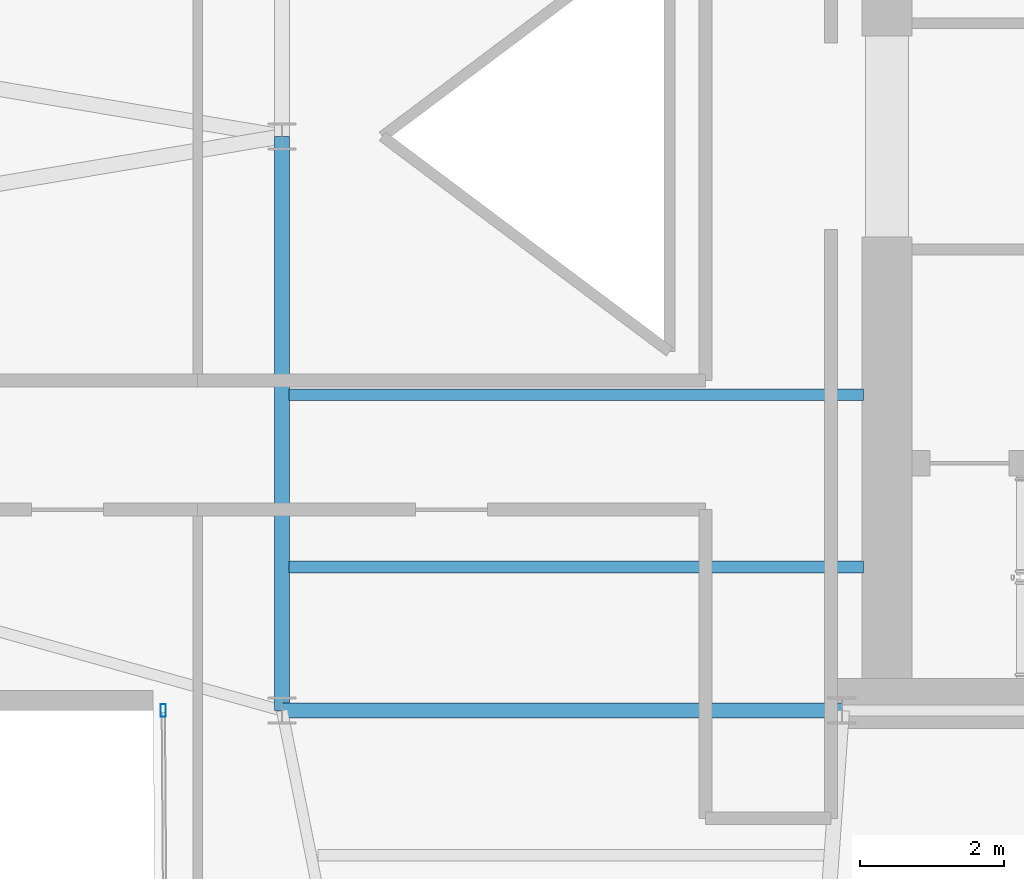
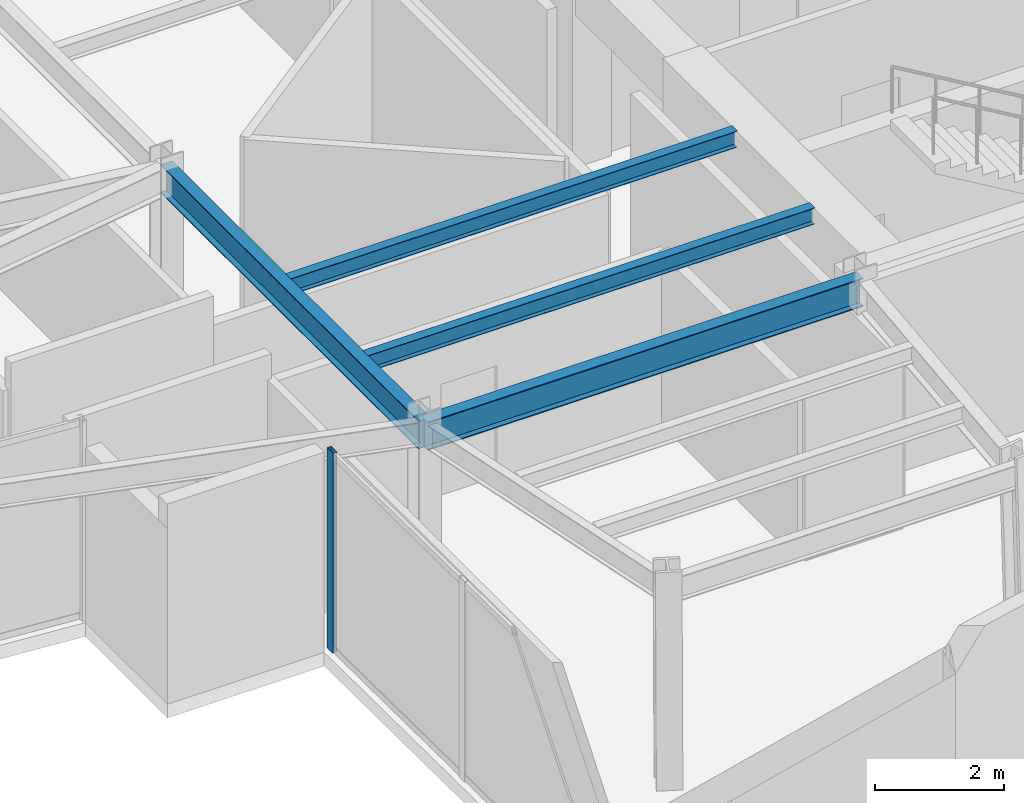
# One storey, part 8 of 23: 4 beams, 1 member, 1 element without a shape of its own.
"""IFC4 building model written with IfcOpenShell, lengths in metres."""

from ifc_helpers import new_model, si_unit, direction, frame, origin, origin_2d, place, context, subcontext, project, spatial, hollow_rectangle, i_section, extrude, material, layer, layer_set, material_profile, profile_set, type_object, element, aggregate, save


model = new_model("IFC4")

# Units and contexts
model_context = context("Model", 3, precision=1e-05, world=origin(), true_north=direction((0.0, 1.0)))
body_context = subcontext(model_context, "Body", "Model", "MODEL_VIEW")
ifc_project = project(units=[si_unit("LENGTHUNIT", "METRE"), si_unit("AREAUNIT", "SQUARE_METRE"), si_unit("VOLUMEUNIT", "CUBIC_METRE"), si_unit("PLANEANGLEUNIT", "RADIAN"), si_unit("MASSUNIT", "GRAM", prefix="KILO")], contexts=[model_context])

# Site, building, storey
site_placement = place(None, origin())
site = spatial("IfcSite", under=ifc_project, at=site_placement, CompositionType="ELEMENT")
building_placement = place(site_placement, origin())
building = spatial("IfcBuilding", under=site, at=building_placement, Name="Veymaron Broadcast Tower", CompositionType="ELEMENT")
storey_placement = place(building_placement, frame((0.0, 0.0, 199.949951171875)))
storey = spatial("IfcBuildingStorey", under=building, at=storey_placement, Name="L46", CompositionType="ELEMENT", Elevation=199.949951171875)

# Beams
ifc_material_1 = material(Name="Structural steel ASTM A992 Gr 50", Category="steel")
ifc_material_profile_1 = material_profile(ifc_material_1, i_section(OverallWidth=0.2099609375, OverallDepth=0.537109375, WebThickness=0.010986328125, FlangeThickness=0.017333984375, at=origin_2d()), Name="W530X101")
ifc_profile_set_1 = profile_set([ifc_material_profile_1], Name="Structural steel ASTM A992 Gr 50")
beam_type_1 = type_object("IfcBeamType", Name="BM-FG3", PredefinedType="BEAM", material=ifc_profile_set_1)
beam_1_placement = place(storey_placement, frame((31.199951171875, 16.0, 3.521484375), z_axis=(0.0, 1.0, 0.0), x_axis=(-1.0, 0.0, 0.0)))
element("IfcBeam", 1, at=beam_1_placement, inside=storey, type_object=beam_type_1, Name="L46 primary structural floor girder", PredefinedType="BEAM", context=body_context, shape_type="SweptSolid", body=[
    extrude(i_section(OverallWidth=0.2099609375, OverallDepth=0.537109375, WebThickness=0.010986328125, FlangeThickness=0.017333984375, at=origin_2d()), origin(), (0.0, 0.0, 1.0), 8.0),
])
beam_2_placement = place(storey_placement, frame((31.199951171875, 16.0, 3.521484375), z_axis=(1.0, 0.0, 0.0), x_axis=(0.0, 1.0, 0.0)))
element("IfcBeam", 2, at=beam_2_placement, inside=storey, type_object=beam_type_1, Name="L46 primary structural floor girder", PredefinedType="BEAM", context=body_context, shape_type="SweptSolid", body=[
    extrude(i_section(OverallWidth=0.2099609375, OverallDepth=0.537109375, WebThickness=0.010986328125, FlangeThickness=0.017333984375, at=origin_2d()), origin(), (0.0, 0.0, 1.0), 7.800048828125),
])
ifc_material_profile_2 = material_profile(ifc_material_1, i_section(OverallWidth=0.1650390625, OverallDepth=0.31005859375, WebThickness=0.005859375, FlangeThickness=0.009765625, at=origin_2d()), Name="W310X39")
ifc_profile_set_2 = profile_set([ifc_material_profile_2], Name="Structural steel ASTM A992 Gr 50")
beam_type_2 = type_object("IfcBeamType", Name="BM-JS3", PredefinedType="JOIST", material=ifc_profile_set_2)
for number, where, z_axis, x_axis, name in (
    (3, (31.300048828125, 18.0, 3.635009765625), (1.0, 0.0, 0.0), (0.0, 1.0, 0.0), "L46 Hub secondary joist 1"),
    (4, (31.300048828125, 20.39990234375, 3.635009765625), (1.0, 0.0, 0.0), (0.0, 1.0, 0.0), "L46 Hub secondary joist 2"),
):
    element("IfcBeam", number, at=place(storey_placement, frame(where, z_axis=z_axis, x_axis=x_axis)), inside=storey, type_object=beam_type_2, Name=name, PredefinedType="JOIST", context=body_context, shape_type="SweptSolid", body=[
        extrude(i_section(OverallWidth=0.1650390625, OverallDepth=0.31005859375, WebThickness=0.005859375, FlangeThickness=0.009765625, at=origin_2d()), origin(), (0.0, 0.0, 1.0), 8.0),
    ])

# Curtain wall, member
ifc_material_2 = material(Name="Anodised aluminium AA 6063-T6 and laminated low-E dark glass", Category="aluminium")
ifc_layer = layer(ifc_material_2, 0.179931640625)
ifc_layer_set = layer_set([ifc_layer], Name="Anodised aluminium AA 6063-T6 and laminated low-E dark glass")
curtain_wall_type = type_object("IfcCurtainWallType", Name="CW-SYS-05", PredefinedType="NOTDEFINED", material=ifc_layer_set)
curtain_wall_placement = place(storey_placement, origin())
curtain_wall = element("IfcCurtainWall", 5, at=curtain_wall_placement, inside=storey, type_object=curtain_wall_type, Name="L46 dark-glass curtain wall CW-L46-E17-1", PredefinedType="NOTDEFINED")
ifc_material_3 = material(Name="Anodised aluminium AA 6063-T6", Category="aluminium")
ifc_material_profile_3 = material_profile(ifc_material_3, hollow_rectangle(XDim=0.074951171875, YDim=0.179931640625, WallThickness=0.0048828125, at=origin_2d()), Name="AL180X75X5")
ifc_profile_set_3 = profile_set([ifc_material_profile_3], Name="Anodised aluminium AA 6063-T6")
member_type = type_object("IfcMemberType", Name="CW-MUL-02", PredefinedType="MULLION", material=ifc_profile_set_3)
member_placement = place(storey_placement, frame((29.545654296875, 16.0009765625, 0.0), z_axis=(0.0, 0.0, 1.0), x_axis=(1.0, 0.0, 0.0)))
member = element("IfcMember", 6, at=member_placement, type_object=member_type, Name="CW-L46-E17-1 mullion 0", PredefinedType="MULLION", context=body_context, shape_type="SweptSolid", body=[
    extrude(hollow_rectangle(XDim=0.074951171875, YDim=0.179931640625, WallThickness=0.0048828125, at=origin_2d()), origin(), (0.0, 0.0, 1.0), 3.7900390625),
])
aggregate(curtain_wall, [member])

save(model, "model.ifc")
